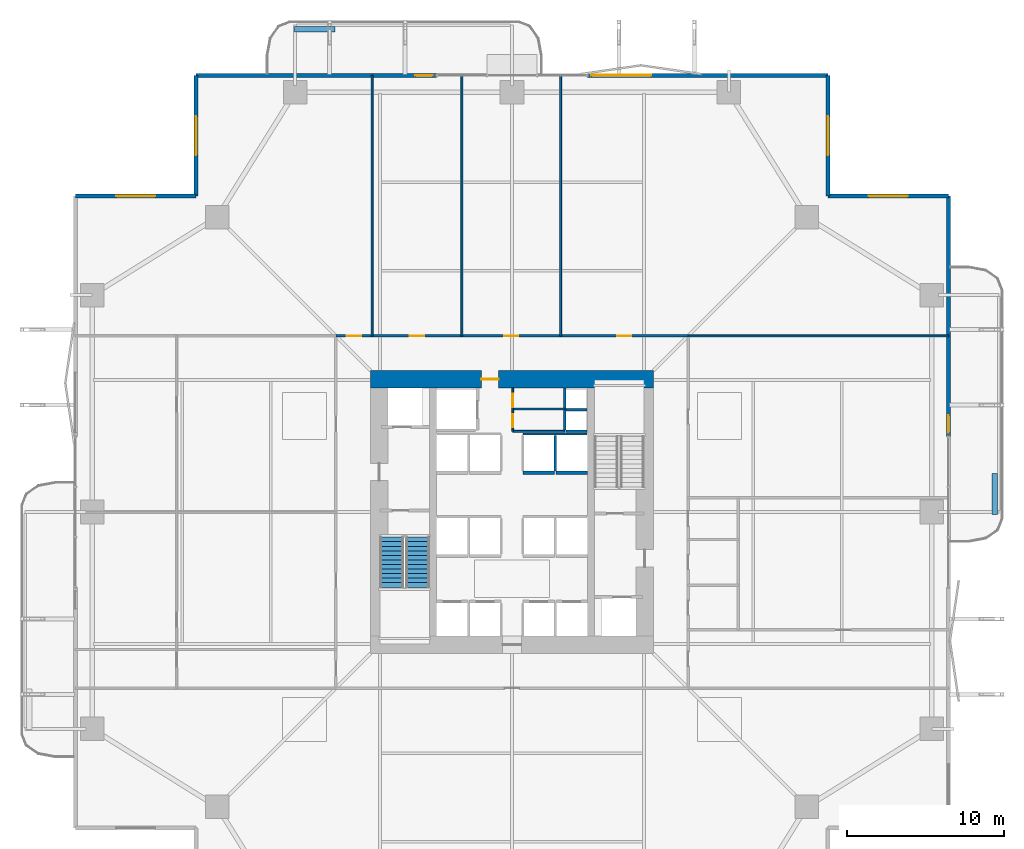
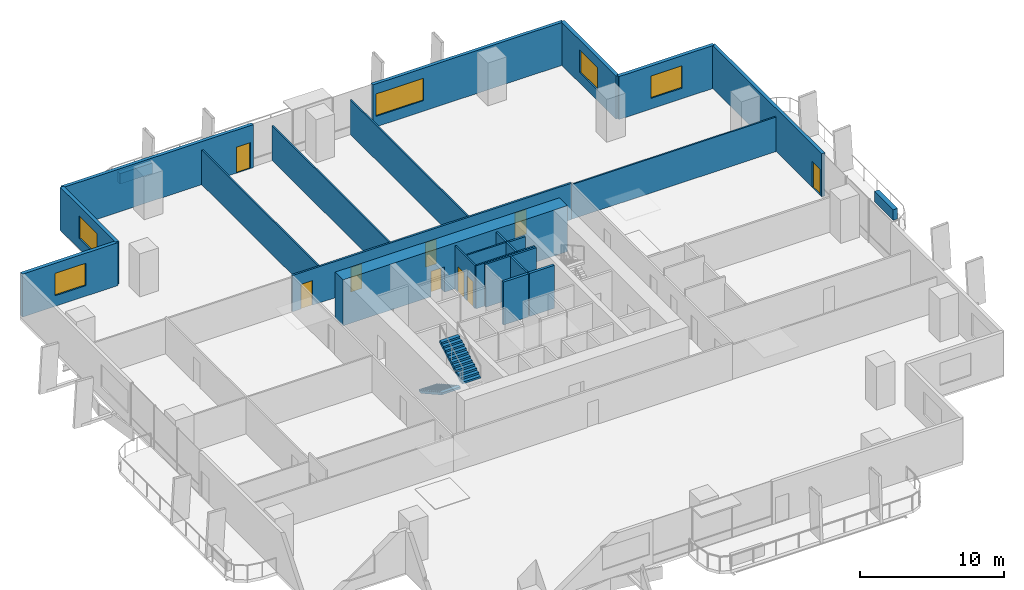
# One storey, part 19 of 24: 25 walls, 9 doors, 5 windows, 2 stair flights, 14 openings, 1 element without a shape of its own.
"""IFC4 building model written with IfcOpenShell, lengths in metres."""

from ifc_helpers import new_model, si_unit, direction, frame, frame_2d, origin, place, context, subcontext, project, spatial, polyline, rectangle, outline, extrude, material, layer, layer_set, type_object, element, fill, aggregate, save


model = new_model("IFC4")

# Units and contexts
model_context = context("Model", 3, precision=1e-05, world=origin(), true_north=direction((0.0, 1.0)))
body_context = subcontext(model_context, "Body", "Model", "MODEL_VIEW")
ifc_project = project(units=[si_unit("LENGTHUNIT", "METRE"), si_unit("AREAUNIT", "SQUARE_METRE"), si_unit("VOLUMEUNIT", "CUBIC_METRE"), si_unit("PLANEANGLEUNIT", "RADIAN"), si_unit("MASSUNIT", "GRAM", prefix="KILO")], contexts=[model_context])

# Site, building, storey
site_placement = place(None, origin())
site = spatial("IfcSite", under=ifc_project, at=site_placement, CompositionType="ELEMENT")
building_placement = place(site_placement, origin())
building = spatial("IfcBuilding", under=site, at=building_placement, Name="Belovzor Exchange Tower", CompositionType="ELEMENT")
storey_placement = place(building_placement, frame((0.0, 0.0, 45.60009765625)))
storey = spatial("IfcBuildingStorey", under=building, at=storey_placement, Name="L10", CompositionType="ELEMENT", Elevation=45.60009765625)

# Walls
ifc_material_1 = material(Name="Acoustic Plasterboard on Galvanised Studs", Category="gypsum")
ifc_layer_1 = layer(ifc_material_1, 0.1201171875)
ifc_layer_set_1 = layer_set([ifc_layer_1], Name="Acoustic Plasterboard on Galvanised Studs")
wall_type_1 = type_object("IfcWallType", Name="Acoustic Double-Stud Partition Wall 120", PredefinedType="PARTITIONING", material=ifc_layer_set_1)
for number, where, z_axis, x_axis, name in (
    (1, (19.89990234375, 40.0, 0.0), (0.0, 0.0, 1.0), (0.0, 1.0, 0.0), "W-P120 Partition Wall W-L10-NDIV-1"),
    (2, (25.612060546875, 40.0, 0.0), (0.0, 0.0, 1.0), (0.0, 1.0, 0.0), "W-P120 Partition Wall W-L10-NDIV-2"),
    (3, (31.89697265625, 40.0, 0.0), (0.0, 0.0, 1.0), (0.0, 1.0, 0.0), "W-P120 Partition Wall W-L10-NDIV-3"),
    (4, (40.0, 40.0, 0.0), (0.0, 0.0, 1.0), (1.0, 0.0, 0.0), "W-P120 Partition Wall W-L10-END-NE"),
):
    element("IfcWall", number, at=place(storey_placement, frame(where, z_axis=z_axis, x_axis=x_axis)), inside=storey, type_object=wall_type_1, Name=name, PredefinedType="PARTITIONING", context=body_context, shape_type="SweptSolid", body=[
        extrude(rectangle(XDim=16.570068359375, YDim=0.1201171875, at=frame_2d((8.28515625, 0.0))), origin(), (0.0, 0.0, 1.0), 2.934814453125),
    ])

# Wall, openings, doors
ifc_material_2 = material(Name="Fire-Rated Plasterboard on Galvanised Studs", Category="gypsum")
ifc_layer_2 = layer(ifc_material_2, 0.1201171875)
ifc_layer_set_2 = layer_set([ifc_layer_2], Name="Fire-Rated Plasterboard on Galvanised Studs")
wall_type_2 = type_object("IfcWallType", Name="Fire-Rated Double-Stud Partition Wall 120", PredefinedType="PARTITIONING", material=ifc_layer_set_2)
wall_1_placement = place(storey_placement, frame((28.85009765625, 33.925048828125, 0.0), z_axis=(0.0, 0.0, 1.0), x_axis=(0.0, 1.0, 0.0)))
wall_1 = element("IfcWall", 5, at=wall_1_placement, inside=storey, type_object=wall_type_2, Name="W-P120F Partition Wall W-CRV-L10-W", PredefinedType="PARTITIONING", context=body_context, shape_type="SweptSolid", body=[
    extrude(rectangle(XDim=2.77490234375, YDim=0.1201171875, at=frame_2d((1.387451171875, 0.0))), origin(), (0.0, 0.0, 1.0), 3.64990234375),
])
opening_1_placement = place(wall_1_placement, frame((0.25, 0.0, 0.0)))
opening_1 = element("IfcOpeningElement", 6, at=opening_1_placement, cuts=wall_1, Name="Opening D-FD60-085", PredefinedType="OPENING", context=body_context, shape_type="SweptSolid", body=[
    extrude(rectangle(XDim=0.85009765625, YDim=2.10009765625, at=frame_2d((0.425048828125, 1.050048828125))), frame((0.0, 0.070068359375, 0.0), z_axis=(0.0, -1.0, 0.0), x_axis=(1.0, 0.0, 0.0)), (0.0, 0.0, 1.0), 0.14013671875),
])
opening_2_placement = place(wall_1_placement, frame((1.544921875, 0.0, 0.0)))
opening_2 = element("IfcOpeningElement", 7, at=opening_2_placement, cuts=wall_1, Name="Opening D-FD60-085", PredefinedType="OPENING", context=body_context, shape_type="SweptSolid", body=[
    extrude(rectangle(XDim=0.85009765625, YDim=2.10009765625, at=frame_2d((0.425048828125, 1.050048828125))), frame((0.0, 0.070068359375, 0.0), z_axis=(0.0, -1.0, 0.0), x_axis=(1.0, 0.0, 0.0)), (0.0, 0.0, 1.0), 0.14013671875),
])
ifc_material_3 = material(Name="Fire-Rated Steel Access Leaf", Category="steel")
door_type_1 = type_object("IfcDoorType", Name="Riser & Meter Closet Access Fire Door 850x2100", OperationType="NOTDEFINED", PredefinedType="DOOR", material=ifc_material_3)
door_1_placement = place(opening_1_placement, origin())
door_1 = element("IfcDoor", 8, at=door_1_placement, inside=storey, type_object=door_type_1, Name="D-FD60-085 Riser & Meter Closet Access Fire Door 850x2100", OperationType="SINGLE_SWING_LEFT", OverallHeight=2.10009765625, OverallWidth=0.85009765625, PredefinedType="DOOR", context=body_context, shape_type="SweptSolid", body=[
    extrude(rectangle(XDim=0.85009765625, YDim=2.10009765625, at=frame_2d((0.425048828125, 1.050048828125))), frame((0.0, 0.02490234375, 0.0), z_axis=(0.0, -1.0, 0.0), x_axis=(1.0, 0.0, 0.0)), (0.0, 0.0, 1.0), 0.050048828125),
])
fill(opening_1, door_1)
door_2_placement = place(opening_2_placement, origin())
door_2 = element("IfcDoor", 9, at=door_2_placement, inside=storey, type_object=door_type_1, Name="D-FD60-085 Riser & Meter Closet Access Fire Door 850x2100", OperationType="SINGLE_SWING_RIGHT", OverallHeight=2.10009765625, OverallWidth=0.85009765625, PredefinedType="DOOR", context=body_context, shape_type="SweptSolid", body=[
    extrude(rectangle(XDim=0.85009765625, YDim=2.10009765625, at=frame_2d((0.425048828125, 1.050048828125))), frame((0.0, 0.02490234375, 0.0), z_axis=(0.0, -1.0, 0.0), x_axis=(1.0, 0.0, 0.0)), (0.0, 0.0, 1.0), 0.050048828125),
])
fill(opening_2, door_2)

# Walls
for number, where, z_axis, x_axis, name in (
    (10, (28.85009765625, 35.35009765625, 0.0), (0.0, 0.0, 1.0), (1.0, 0.0, 0.0), "W-P120F Partition Wall W-CRV-L10-M"),
    (11, (28.85009765625, 33.925048828125, 0.0), (0.0, 0.0, 1.0), (1.0, 0.0, 0.0), "W-P120F Partition Wall W-CRV-L10-S"),
):
    element("IfcWall", number, at=place(storey_placement, frame(where, z_axis=z_axis, x_axis=x_axis)), inside=storey, type_object=wall_type_2, Name=name, PredefinedType="PARTITIONING", context=body_context, shape_type="SweptSolid", body=[
        extrude(rectangle(XDim=3.2998046875, YDim=0.1201171875, at=frame_2d((1.64990234375, 0.0))), origin(), (0.0, 0.0, 1.0), 3.64990234375),
    ])

# Wall, openings, doors
ifc_material_4 = material(Name="Fire-Rated Gypsum Block and Mineral Wool", Category="gypsum")
ifc_layer_3 = layer(ifc_material_4, 0.14990234375)
ifc_layer_set_3 = layer_set([ifc_layer_3], Name="Fire-Rated Gypsum Block and Mineral Wool")
wall_type_3 = type_object("IfcWallType", Name="Fire-Rated Gypsum Block Corridor Wall 150", PredefinedType="PARTITIONING", material=ifc_layer_set_3)
wall_2_placement = place(storey_placement, frame((17.60009765625, 40.0, 0.0), z_axis=(0.0, 0.0, 1.0), x_axis=(1.0, 0.0, 0.0)))
wall_2 = element("IfcWall", 12, at=wall_2_placement, inside=storey, type_object=wall_type_3, Name="W-P150 Partition Wall W-L10-CN", PredefinedType="PARTITIONING", context=body_context, shape_type="SweptSolid", body=[
    extrude(rectangle(XDim=22.39990234375, YDim=0.14990234375, at=frame_2d((11.199951171875, 0.0))), origin(), (0.0, 0.0, 1.0), 3.0849609375),
])
opening_3_placement = place(wall_2_placement, frame((0.699951171875, 0.0, 0.0)))
opening_3 = element("IfcOpeningElement", 13, at=opening_3_placement, cuts=wall_2, Name="Opening D-INT-090", PredefinedType="OPENING", context=body_context, shape_type="SweptSolid", body=[
    extrude(rectangle(XDim=0.89990234375, YDim=2.10009765625, at=frame_2d((0.449951171875, 1.050048828125))), frame((0.0, 0.0849609375, 0.0), z_axis=(0.0, -1.0, 0.0), x_axis=(1.0, 0.0, 0.0)), (0.0, 0.0, 1.0), 0.169921875),
])
opening_4_placement = place(wall_2_placement, frame((4.7060546875, 0.0, 0.0)))
opening_4 = element("IfcOpeningElement", 14, at=opening_4_placement, cuts=wall_2, Name="Opening D-INT-090", PredefinedType="OPENING", context=body_context, shape_type="SweptSolid", body=[
    extrude(rectangle(XDim=0.89990234375, YDim=2.10009765625, at=frame_2d((0.449951171875, 1.050048828125))), frame((0.0, 0.0849609375, 0.0), z_axis=(0.0, -1.0, 0.0), x_axis=(1.0, 0.0, 0.0)), (0.0, 0.0, 1.0), 0.169921875),
])
opening_5_placement = place(wall_2_placement, frame((10.7041015625, 0.0, 0.0)))
opening_5 = element("IfcOpeningElement", 15, at=opening_5_placement, cuts=wall_2, Name="Opening D-INT-090", PredefinedType="OPENING", context=body_context, shape_type="SweptSolid", body=[
    extrude(rectangle(XDim=0.89990234375, YDim=2.10009765625, at=frame_2d((0.449951171875, 1.050048828125))), frame((0.0, 0.0849609375, 0.0), z_axis=(0.0, -1.0, 0.0), x_axis=(1.0, 0.0, 0.0)), (0.0, 0.0, 1.0), 0.169921875),
])
opening_6_placement = place(wall_2_placement, frame((17.89794921875, 0.0, 0.0)))
opening_6 = element("IfcOpeningElement", 16, at=opening_6_placement, cuts=wall_2, Name="Opening D-INT-090", PredefinedType="OPENING", context=body_context, shape_type="SweptSolid", body=[
    extrude(rectangle(XDim=0.89990234375, YDim=2.10009765625, at=frame_2d((0.449951171875, 1.050048828125))), frame((0.0, 0.0849609375, 0.0), z_axis=(0.0, -1.0, 0.0), x_axis=(1.0, 0.0, 0.0)), (0.0, 0.0, 1.0), 0.169921875),
])
ifc_material_5 = material(Name="Veneered Hardwood Acoustic Leaf", Category="wood")
door_type_2 = type_object("IfcDoorType", Name="Trading Suite Acoustic Single Door 900x2100", OperationType="NOTDEFINED", PredefinedType="DOOR", material=ifc_material_5)
door_3_placement = place(opening_3_placement, origin())
door_3 = element("IfcDoor", 17, at=door_3_placement, inside=storey, type_object=door_type_2, Name="D-INT-090 Trading Suite Acoustic Single Door 900x2100", OperationType="SINGLE_SWING_RIGHT", OverallHeight=2.10009765625, OverallWidth=0.89990234375, PredefinedType="DOOR", context=body_context, shape_type="SweptSolid", body=[
    extrude(rectangle(XDim=0.89990234375, YDim=2.10009765625, at=frame_2d((0.449951171875, 1.050048828125))), frame((0.0, 0.02490234375, 0.0), z_axis=(0.0, -1.0, 0.0), x_axis=(1.0, 0.0, 0.0)), (0.0, 0.0, 1.0), 0.050048828125),
])
fill(opening_3, door_3)
door_4_placement = place(opening_4_placement, origin())
door_4 = element("IfcDoor", 18, at=door_4_placement, inside=storey, type_object=door_type_2, Name="D-INT-090 Trading Suite Acoustic Single Door 900x2100", OperationType="SINGLE_SWING_LEFT", OverallHeight=2.10009765625, OverallWidth=0.89990234375, PredefinedType="DOOR", context=body_context, shape_type="SweptSolid", body=[
    extrude(rectangle(XDim=0.89990234375, YDim=2.10009765625, at=frame_2d((0.449951171875, 1.050048828125))), frame((0.0, 0.02490234375, 0.0), z_axis=(0.0, -1.0, 0.0), x_axis=(1.0, 0.0, 0.0)), (0.0, 0.0, 1.0), 0.050048828125),
])
fill(opening_4, door_4)
door_5_placement = place(opening_5_placement, origin())
door_5 = element("IfcDoor", 19, at=door_5_placement, inside=storey, type_object=door_type_2, Name="D-INT-090 Trading Suite Acoustic Single Door 900x2100", OperationType="SINGLE_SWING_RIGHT", OverallHeight=2.10009765625, OverallWidth=0.89990234375, PredefinedType="DOOR", context=body_context, shape_type="SweptSolid", body=[
    extrude(rectangle(XDim=0.89990234375, YDim=2.10009765625, at=frame_2d((0.449951171875, 1.050048828125))), frame((0.0, 0.02490234375, 0.0), z_axis=(0.0, -1.0, 0.0), x_axis=(1.0, 0.0, 0.0)), (0.0, 0.0, 1.0), 0.050048828125),
])
fill(opening_5, door_5)
door_6_placement = place(opening_6_placement, origin())
door_6 = element("IfcDoor", 20, at=door_6_placement, inside=storey, type_object=door_type_2, Name="D-INT-090 Trading Suite Acoustic Single Door 900x2100", OperationType="SINGLE_SWING_LEFT", OverallHeight=2.10009765625, OverallWidth=0.89990234375, PredefinedType="DOOR", context=body_context, shape_type="SweptSolid", body=[
    extrude(rectangle(XDim=0.89990234375, YDim=2.10009765625, at=frame_2d((0.449951171875, 1.050048828125))), frame((0.0, 0.02490234375, 0.0), z_axis=(0.0, -1.0, 0.0), x_axis=(1.0, 0.0, 0.0)), (0.0, 0.0, 1.0), 0.050048828125),
])
fill(opening_6, door_6)

# Wall, opening, window
ifc_material_6 = material(Name="Precast concrete C40/50", Category="concrete")
ifc_layer_4 = layer(ifc_material_6, 0.280029296875)
ifc_layer_set_4 = layer_set([ifc_layer_4], Name="Precast concrete C40/50")
wall_type_4 = type_object("IfcWallType", Name="Precast Concrete Notched Corner Frame Wall 280", PredefinedType="SOLIDWALL", material=ifc_layer_set_4)
wall_3_placement = place(storey_placement, frame((1.030029296875, 48.89990234375, 0.0), z_axis=(0.0, 0.0, 1.0), x_axis=(1.0, 0.0, 0.0)))
wall_3 = element("IfcWall", 21, at=wall_3_placement, inside=storey, type_object=wall_type_4, Name="W-CRN280 Precast Concrete Notched Corner Frame Wall 280 L10", PredefinedType="SOLIDWALL", context=body_context, shape_type="SweptSolid", body=[
    extrude(rectangle(XDim=7.669921875, YDim=0.280029296875, at=frame_2d((3.8349609375, 0.0))), origin(), (0.0, 0.0, 1.0), 3.64990234375),
])
opening_7_placement = place(wall_3_placement, frame((2.5849609375, 0.0, 0.89990234375)))
opening_7 = element("IfcOpeningElement", 22, at=opening_7_placement, cuts=wall_3, Name="Opening WN-CRN250", PredefinedType="OPENING", context=body_context, shape_type="SweptSolid", body=[
    extrude(rectangle(XDim=2.5, YDim=1.89990234375, at=frame_2d((1.25, 0.949951171875))), frame((0.0, 0.14990234375, 0.0), z_axis=(0.0, -1.0, 0.0), x_axis=(1.0, 0.0, 0.0)), (0.0, 0.0, 1.0), 0.300048828125),
])
ifc_material_7 = material(Name="Thermally Broken Aluminium and Triple Glazing", Category="aluminium")
window_type_1 = type_object("IfcWindowType", Name="Streamline Moderne Corner Wrap Ribbon Window 2500x1900", PartitioningType="SINGLE_PANEL", PredefinedType="WINDOW", material=ifc_material_7)
window_1_placement = place(opening_7_placement, origin())
window_1 = element("IfcWindow", 23, at=window_1_placement, inside=storey, type_object=window_type_1, Name="WN-CRN250 Streamline Moderne Corner Wrap Ribbon Window 2500x1900", OverallHeight=1.89990234375, OverallWidth=2.5, PartitioningType="SINGLE_PANEL", PredefinedType="WINDOW", context=body_context, shape_type="SweptSolid", body=[
    extrude(rectangle(XDim=2.5, YDim=1.89990234375, at=frame_2d((1.25, 0.949951171875))), frame((0.0, 0.030029296875, 0.0), z_axis=(0.0, -1.0, 0.0), x_axis=(1.0, 0.0, 0.0)), (0.0, 0.0, 1.0), 0.06005859375),
])
fill(opening_7, window_1)

wall_4_placement = place(storey_placement, frame((8.699951171875, 48.89990234375, 0.0), z_axis=(0.0, 0.0, 1.0), x_axis=(0.0, 1.0, 0.0)))
wall_4 = element("IfcWall", 24, at=wall_4_placement, inside=storey, type_object=wall_type_4, Name="W-CRN280 Precast Concrete Notched Corner Frame Wall 280 L10", PredefinedType="SOLIDWALL", context=body_context, shape_type="SweptSolid", body=[
    extrude(rectangle(XDim=7.670166015625, YDim=0.280029296875, at=frame_2d((3.8349609375, 0.0))), origin(), (0.0, 0.0, 1.0), 3.64990234375),
])
opening_8_placement = place(wall_4_placement, frame((2.5849609375, 0.0, 0.89990234375)))
opening_8 = element("IfcOpeningElement", 25, at=opening_8_placement, cuts=wall_4, Name="Opening WN-CRN250", PredefinedType="OPENING", context=body_context, shape_type="SweptSolid", body=[
    extrude(rectangle(XDim=2.5, YDim=1.89990234375, at=frame_2d((1.25, 0.949951171875))), frame((0.0, 0.14990234375, 0.0), z_axis=(0.0, -1.0, 0.0), x_axis=(1.0, 0.0, 0.0)), (0.0, 0.0, 1.0), 0.300048828125),
])
window_2_placement = place(opening_8_placement, origin())
window_2 = element("IfcWindow", 26, at=window_2_placement, inside=storey, type_object=window_type_1, Name="WN-CRN250 Streamline Moderne Corner Wrap Ribbon Window 2500x1900", OverallHeight=1.89990234375, OverallWidth=2.5, PartitioningType="SINGLE_PANEL", PredefinedType="WINDOW", context=body_context, shape_type="SweptSolid", body=[
    extrude(rectangle(XDim=2.5, YDim=1.89990234375, at=frame_2d((1.25, 0.949951171875))), frame((0.0, 0.030029296875, 0.0), z_axis=(0.0, -1.0, 0.0), x_axis=(1.0, 0.0, 0.0)), (0.0, 0.0, 1.0), 0.06005859375),
])
fill(opening_8, window_2)

wall_5_placement = place(storey_placement, frame((48.89990234375, 56.570068359375, 0.0), z_axis=(0.0, 0.0, 1.0), x_axis=(0.0, -1.0, 0.0)))
wall_5 = element("IfcWall", 27, at=wall_5_placement, inside=storey, type_object=wall_type_4, Name="W-CRN280 Precast Concrete Notched Corner Frame Wall 280 L10", PredefinedType="SOLIDWALL", context=body_context, shape_type="SweptSolid", body=[
    extrude(rectangle(XDim=7.670166015625, YDim=0.280029296875, at=frame_2d((3.8349609375, 0.0))), origin(), (0.0, 0.0, 1.0), 3.64990234375),
])
opening_9_placement = place(wall_5_placement, frame((2.5849609375, 0.0, 0.89990234375)))
opening_9 = element("IfcOpeningElement", 28, at=opening_9_placement, cuts=wall_5, Name="Opening WN-CRN250", PredefinedType="OPENING", context=body_context, shape_type="SweptSolid", body=[
    extrude(rectangle(XDim=2.5, YDim=1.89990234375, at=frame_2d((1.25, 0.949951171875))), frame((0.0, 0.14990234375, 0.0), z_axis=(0.0, -1.0, 0.0), x_axis=(1.0, 0.0, 0.0)), (0.0, 0.0, 1.0), 0.300048828125),
])
window_3_placement = place(opening_9_placement, origin())
window_3 = element("IfcWindow", 29, at=window_3_placement, inside=storey, type_object=window_type_1, Name="WN-CRN250 Streamline Moderne Corner Wrap Ribbon Window 2500x1900", OverallHeight=1.89990234375, OverallWidth=2.5, PartitioningType="SINGLE_PANEL", PredefinedType="WINDOW", context=body_context, shape_type="SweptSolid", body=[
    extrude(rectangle(XDim=2.5, YDim=1.89990234375, at=frame_2d((1.25, 0.949951171875))), frame((0.0, 0.030029296875, 0.0), z_axis=(0.0, -1.0, 0.0), x_axis=(1.0, 0.0, 0.0)), (0.0, 0.0, 1.0), 0.06005859375),
])
fill(opening_9, window_3)

wall_6_placement = place(storey_placement, frame((48.89990234375, 48.89990234375, 0.0), z_axis=(0.0, 0.0, 1.0), x_axis=(1.0, 0.0, 0.0)))
wall_6 = element("IfcWall", 30, at=wall_6_placement, inside=storey, type_object=wall_type_4, Name="W-CRN280 Precast Concrete Notched Corner Frame Wall 280 L10", PredefinedType="SOLIDWALL", context=body_context, shape_type="SweptSolid", body=[
    extrude(rectangle(XDim=7.670166015625, YDim=0.280029296875, at=frame_2d((3.8349609375, 0.0))), origin(), (0.0, 0.0, 1.0), 3.64990234375),
])
opening_10_placement = place(wall_6_placement, frame((2.5849609375, 0.0, 0.89990234375)))
opening_10 = element("IfcOpeningElement", 31, at=opening_10_placement, cuts=wall_6, Name="Opening WN-CRN250", PredefinedType="OPENING", context=body_context, shape_type="SweptSolid", body=[
    extrude(rectangle(XDim=2.5, YDim=1.89990234375, at=frame_2d((1.25, 0.949951171875))), frame((0.0, 0.14990234375, 0.0), z_axis=(0.0, -1.0, 0.0), x_axis=(1.0, 0.0, 0.0)), (0.0, 0.0, 1.0), 0.300048828125),
])
window_4_placement = place(opening_10_placement, origin())
window_4 = element("IfcWindow", 32, at=window_4_placement, inside=storey, type_object=window_type_1, Name="WN-CRN250 Streamline Moderne Corner Wrap Ribbon Window 2500x1900", OverallHeight=1.89990234375, OverallWidth=2.5, PartitioningType="SINGLE_PANEL", PredefinedType="WINDOW", context=body_context, shape_type="SweptSolid", body=[
    extrude(rectangle(XDim=2.5, YDim=1.89990234375, at=frame_2d((1.25, 0.949951171875))), frame((0.0, 0.030029296875, 0.0), z_axis=(0.0, -1.0, 0.0), x_axis=(1.0, 0.0, 0.0)), (0.0, 0.0, 1.0), 0.06005859375),
])
fill(opening_10, window_4)

# Wall, opening, door
ifc_material_8 = material(Name="Precast concrete C40/50", Category="concrete")
ifc_layer_5 = layer(ifc_material_8, 0.260009765625)
ifc_layer_set_5 = layer_set([ifc_layer_5], Name="Precast concrete C40/50")
wall_type_5 = type_object("IfcWallType", Name="Precast Concrete Perimeter Loggia Frame Wall 260", PredefinedType="SOLIDWALL", material=ifc_layer_set_5)
wall_7_placement = place(storey_placement, frame((8.699951171875, 56.570068359375, 0.0), z_axis=(0.0, 0.0, 1.0), x_axis=(1.0, 0.0, 0.0)))
wall_7 = element("IfcWall", 33, at=wall_7_placement, inside=storey, type_object=wall_type_5, Name="W-EXT260 Precast Concrete Perimeter Loggia Frame Wall 260 L10", PredefinedType="SOLIDWALL", context=body_context, shape_type="SweptSolid", body=[
    extrude(rectangle(XDim=15.300048828125, YDim=0.260009765625, at=frame_2d((7.64990234375, 0.0))), origin(), (0.0, 0.0, 1.0), 3.64990234375),
])
opening_11_placement = place(wall_7_placement, frame((13.949951171875, 0.0, 0.0)))
opening_11 = element("IfcOpeningElement", 34, at=opening_11_placement, cuts=wall_7, Name="Opening D-BAL110", PredefinedType="OPENING", context=body_context, shape_type="SweptSolid", body=[
    extrude(rectangle(XDim=1.10009765625, YDim=2.199951171875, at=frame_2d((0.550048828125, 1.10009765625))), frame((0.0, 0.139892578125, 0.0), z_axis=(0.0, -1.0, 0.0), x_axis=(1.0, 0.0, 0.0)), (0.0, 0.0, 1.0), 0.280029296875),
])
ifc_material_9 = material(Name="Thermally Broken Anodised Aluminium and Laminated Glass", Category="aluminium")
door_type_3 = type_object("IfcDoorType", Name="Planted Loggia Terrace Glazed Door 1100x2200", OperationType="SINGLE_SWING_LEFT", PredefinedType="DOOR", material=ifc_material_9)
door_7_placement = place(opening_11_placement, origin())
door_7 = element("IfcDoor", 35, at=door_7_placement, inside=storey, type_object=door_type_3, Name="D-BAL110 Balcony Terrace Door L10 N", OperationType="SINGLE_SWING_RIGHT", OverallHeight=2.199951171875, OverallWidth=1.10009765625, PredefinedType="DOOR", context=body_context, shape_type="SweptSolid", body=[
    extrude(rectangle(XDim=1.10009765625, YDim=2.199951171875, at=frame_2d((0.550048828125, 1.10009765625))), frame((0.0, 0.02490234375, 0.0), z_axis=(0.0, -1.0, 0.0), x_axis=(1.0, 0.0, 0.0)), (0.0, 0.0, 1.0), 0.050048828125),
])
fill(opening_11, door_7)

# Wall, opening, window
wall_8_placement = place(storey_placement, frame((33.60009765625, 56.570068359375, 0.0), z_axis=(0.0, 0.0, 1.0), x_axis=(1.0, 0.0, 0.0)))
wall_8 = element("IfcWall", 36, at=wall_8_placement, inside=storey, type_object=wall_type_5, Name="W-EXT260 Precast Concrete Perimeter Loggia Frame Wall 260 L10", PredefinedType="SOLIDWALL", context=body_context, shape_type="SweptSolid", body=[
    extrude(rectangle(XDim=15.2998046875, YDim=0.260009765625, at=frame_2d((7.64990234375, 0.0))), origin(), (0.0, 0.0, 1.0), 3.64990234375),
])
opening_12_placement = place(wall_8_placement, frame((0.25, 0.0, 0.89990234375)))
opening_12 = element("IfcOpeningElement", 37, at=opening_12_placement, cuts=wall_8, Name="Opening WN-RIB380", PredefinedType="OPENING", context=body_context, shape_type="SweptSolid", body=[
    extrude(rectangle(XDim=3.800048828125, YDim=1.89990234375, at=frame_2d((1.89990234375, 0.949951171875))), frame((0.0, 0.139892578125, 0.0), z_axis=(0.0, -1.0, 0.0), x_axis=(1.0, 0.0, 0.0)), (0.0, 0.0, 1.0), 0.280029296875),
])
ifc_material_10 = material(Name="Thermally Broken Aluminium and Triple Glazing", Category="aluminium")
window_type_2 = type_object("IfcWindowType", Name="Streamline Moderne Horizontal Ribbon Window 3800x1900", PartitioningType="SINGLE_PANEL", PredefinedType="WINDOW", material=ifc_material_10)
window_5_placement = place(opening_12_placement, origin())
window_5 = element("IfcWindow", 38, at=window_5_placement, inside=storey, type_object=window_type_2, Name="WN-RIB380 Streamline Moderne Horizontal Ribbon Window 3800x1900", OverallHeight=1.89990234375, OverallWidth=3.800048828125, PartitioningType="SINGLE_PANEL", PredefinedType="WINDOW", context=body_context, shape_type="SweptSolid", body=[
    extrude(rectangle(XDim=3.800048828125, YDim=1.89990234375, at=frame_2d((1.89990234375, 0.949951171875))), frame((0.0, 0.030029296875, 0.0), z_axis=(0.0, -1.0, 0.0), x_axis=(1.0, 0.0, 0.0)), (0.0, 0.0, 1.0), 0.06005859375),
])
fill(opening_12, window_5)

# Wall, opening, door
wall_9_placement = place(storey_placement, frame((56.570068359375, 48.89990234375, 0.0), z_axis=(0.0, 0.0, 1.0), x_axis=(0.0, -1.0, 0.0)))
wall_9 = element("IfcWall", 39, at=wall_9_placement, inside=storey, type_object=wall_type_5, Name="W-EXT260 Precast Concrete Perimeter Loggia Frame Wall 260 L10", PredefinedType="SOLIDWALL", context=body_context, shape_type="SweptSolid", body=[
    extrude(rectangle(XDim=15.2998046875, YDim=0.260009765625, at=frame_2d((7.64990234375, 0.0))), origin(), (0.0, 0.0, 1.0), 3.64990234375),
])
opening_13_placement = place(wall_9_placement, frame((13.949951171875, 0.0, 0.0)))
opening_13 = element("IfcOpeningElement", 40, at=opening_13_placement, cuts=wall_9, Name="Opening D-BAL110", PredefinedType="OPENING", context=body_context, shape_type="SweptSolid", body=[
    extrude(rectangle(XDim=1.10009765625, YDim=2.199951171875, at=frame_2d((0.550048828125, 1.10009765625))), frame((0.0, 0.139892578125, 0.0), z_axis=(0.0, -1.0, 0.0), x_axis=(1.0, 0.0, 0.0)), (0.0, 0.0, 1.0), 0.280029296875),
])
door_8_placement = place(opening_13_placement, origin())
door_8 = element("IfcDoor", 41, at=door_8_placement, inside=storey, type_object=door_type_3, Name="D-BAL110 Balcony Terrace Door L10 E", OperationType="SINGLE_SWING_LEFT", OverallHeight=2.199951171875, OverallWidth=1.10009765625, PredefinedType="DOOR", context=body_context, shape_type="SweptSolid", body=[
    extrude(rectangle(XDim=1.10009765625, YDim=2.199951171875, at=frame_2d((0.550048828125, 1.10009765625))), frame((0.0, 0.02490234375, 0.0), z_axis=(0.0, -1.0, 0.0), x_axis=(1.0, 0.0, 0.0)), (0.0, 0.0, 1.0), 0.050048828125),
])
fill(opening_13, door_8)

# Walls
ifc_material_11 = material(Name="Precast concrete C40/50", Category="concrete")
ifc_layer_6 = layer(ifc_material_11, 0.35009765625)
ifc_layer_set_6 = layer_set([ifc_layer_6], Name="Precast concrete C40/50")
wall_type_6 = type_object("IfcWallType", Name="Precast Concrete Structural Tree Planter Trough 350", PredefinedType="PARAPET", material=ifc_layer_set_6)
for number, where, z_axis, x_axis, name in (
    (42, (14.949951171875, 59.5, 0.0), (0.0, 0.0, 1.0), (1.0, 0.0, 0.0), "PT-350 Precast Concrete Structural Tree Planter Trough 350 L10"),
    (43, (59.5, 28.64990234375, 0.0), (0.0, 0.0, 1.0), (0.0, 1.0, 0.0), "PT-350 Precast Concrete Structural Tree Planter Trough 350 L10"),
):
    element("IfcWall", number, at=place(storey_placement, frame(where, z_axis=z_axis, x_axis=x_axis)), inside=storey, type_object=wall_type_6, Name=name, PredefinedType="PARAPET", context=body_context, shape_type="SweptSolid", body=[
        extrude(rectangle(XDim=2.60009765625, YDim=0.35009765625, at=frame_2d((1.300048828125, 0.0))), origin(), (0.0, 0.0, 1.0), 0.89990234375),
    ])
ifc_material_12 = material(Name="Concrete C50/60", Category="concrete")
ifc_layer_7 = layer(ifc_material_12, 0.14990234375)
ifc_layer_set_7 = layer_set([ifc_layer_7], Name="Concrete C50/60")
wall_type_7 = type_object("IfcWallType", Name="Reinforced Concrete Core Riser Shear Wall 150", PredefinedType="SHEAR", material=ifc_layer_set_7)
wall_10_placement = place(storey_placement, frame((32.14990234375, 34.0, 0.0), z_axis=(0.0, 0.0, 1.0), x_axis=(0.0, 1.0, 0.0)))
element("IfcWall", 44, at=wall_10_placement, inside=storey, type_object=wall_type_7, Name="W-C150S Core Shaft Wall W-RSR-L10-E", PredefinedType="SHEAR", context=body_context, shape_type="SweptSolid", body=[
    extrude(rectangle(XDim=2.699951171875, YDim=0.14990234375, at=frame_2d((1.35009765625, 0.0))), origin(), (0.0, 0.0, 1.0), 3.64990234375),
])
for number, where, z_axis, x_axis, name in (
    (45, (32.25, 33.925048828125, 0.0), (0.0, 0.0, 1.0), (1.0, 0.0, 0.0), "W-C150S Core Shaft Wall W-RSR-L10-S"),
    (46, (32.25, 35.300048828125, 0.0), (0.0, 0.0, 1.0), (1.0, 0.0, 0.0), "W-C150S Core Shaft Wall W-RSR-L10-M"),
):
    element("IfcWall", number, at=place(storey_placement, frame(where, z_axis=z_axis, x_axis=x_axis)), inside=storey, type_object=wall_type_7, Name=name, PredefinedType="SHEAR", context=body_context, shape_type="SweptSolid", body=[
        extrude(rectangle(XDim=1.330078125, YDim=0.14990234375, at=frame_2d((0.6650390625, 0.0))), origin(), (0.0, 0.0, 1.0), 3.64990234375),
    ])
wall_11_placement = place(storey_placement, frame((29.5, 33.760009765625, 0.0), z_axis=(0.0, 0.0, 1.0), x_axis=(1.0, 0.0, 0.0)))
element("IfcWall", 47, at=wall_11_placement, inside=storey, type_object=wall_type_7, Name="W-C150S Core Shaft Wall W-SHB-L10-PLH-NE", PredefinedType="SHEAR", context=body_context, shape_type="SweptSolid", body=[
    extrude(rectangle(XDim=4.080078125, YDim=0.14990234375, at=frame_2d((2.0400390625, 0.0))), origin(), (0.0, 0.0, 1.0), 3.64990234375),
])
wall_12_placement = place(storey_placement, frame((31.550048828125, 31.419921875, 0.0), z_axis=(0.0, 0.0, 1.0), x_axis=(0.0, 1.0, 0.0)))
element("IfcWall", 48, at=wall_12_placement, inside=storey, type_object=wall_type_7, Name="W-C150S Core Shaft Wall W-SHD-L10-PLH-4", PredefinedType="SHEAR", context=body_context, shape_type="SweptSolid", body=[
    extrude(rectangle(XDim=2.239990234375, YDim=0.14990234375, at=frame_2d((1.1201171875, 0.0))), origin(), (0.0, 0.0, 1.0), 3.64990234375),
])
ifc_material_13 = material(Name="Concrete C50/60", Category="concrete")
ifc_layer_8 = layer(ifc_material_13, 0.199951171875)
ifc_layer_set_8 = layer_set([ifc_layer_8], Name="Concrete C50/60")
wall_type_8 = type_object("IfcWallType", Name="Reinforced Concrete Core Shaft Shear Wall 200", PredefinedType="SHEAR", material=ifc_layer_set_8)
for number, where, z_axis, x_axis, name in (
    (49, (29.5, 31.300048828125, 0.0), (0.0, 0.0, 1.0), (1.0, 0.0, 0.0), "W-C200S Core Shaft Wall W-SH-L10-PL-H3"),
    (50, (31.60009765625, 31.300048828125, 0.0), (0.0, 0.0, 1.0), (1.0, 0.0, 0.0), "W-C200S Core Shaft Wall W-SH-L10-PL-H4"),
):
    element("IfcWall", number, at=place(storey_placement, frame(where, z_axis=z_axis, x_axis=x_axis)), inside=storey, type_object=wall_type_8, Name=name, PredefinedType="SHEAR", context=body_context, shape_type="SweptSolid", body=[
        extrude(rectangle(XDim=2.0, YDim=0.199951171875, at=frame_2d((1.0, 0.0))), origin(), (0.0, 0.0, 1.0), 3.64990234375),
    ])

# Wall, opening, door
ifc_material_14 = material(Name="Concrete C60/75", Category="concrete")
ifc_layer_9 = layer(ifc_material_14, 1.10009765625)
ifc_layer_set_9 = layer_set([ifc_layer_9], Name="Concrete C60/75")
wall_type_9 = type_object("IfcWallType", Name="Reinforced Concrete Core Shear Wall 1100", PredefinedType="SHEAR", material=ifc_layer_set_9)
wall_13_placement = place(storey_placement, frame((19.800048828125, 37.25, 0.0), z_axis=(0.0, 0.0, 1.0), x_axis=(1.0, 0.0, 0.0)))
wall_13 = element("IfcWall", 51, at=wall_13_placement, inside=storey, type_object=wall_type_9, Name="CW-S110 Core Shear Wall L10 N", PredefinedType="SHEAR", context=body_context, shape_type="SweptSolid", body=[
    extrude(rectangle(XDim=18.0, YDim=1.10009765625, at=frame_2d((9.0, 0.0))), origin(), (0.0, 0.0, 1.0), 3.89990234375),
])
opening_14_placement = place(wall_13_placement, frame((7.050048828125, 0.0, 0.0)))
opening_14 = element("IfcOpeningElement", 52, at=opening_14_placement, cuts=wall_13, Name="Opening D-FD90-110", PredefinedType="OPENING", context=body_context, shape_type="SweptSolid", body=[
    extrude(rectangle(XDim=1.10009765625, YDim=2.14990234375, at=frame_2d((0.550048828125, 1.074951171875))), frame((0.0, 0.56005859375, 0.0), z_axis=(0.0, -1.0, 0.0), x_axis=(1.0, 0.0, 0.0)), (0.0, 0.0, 1.0), 1.1201171875),
])
ifc_material_15 = material(Name="Fire-Rated Galvanised Steel Leaf", Category="steel")
door_type_4 = type_object("IfcDoorType", Name="Protected Escape Vestibule Fire Door 1100x2150", OperationType="NOTDEFINED", PredefinedType="DOOR", material=ifc_material_15)
door_9_placement = place(opening_14_placement, origin())
door_9 = element("IfcDoor", 53, at=door_9_placement, inside=storey, type_object=door_type_4, Name="D-FD90-110 Protected Escape Vestibule Fire Door 1100x2150", OperationType="SINGLE_SWING_RIGHT", OverallHeight=2.14990234375, OverallWidth=1.10009765625, PredefinedType="DOOR", context=body_context, shape_type="SweptSolid", body=[
    extrude(rectangle(XDim=1.10009765625, YDim=2.14990234375, at=frame_2d((0.550048828125, 1.074951171875))), frame((0.0, 0.02490234375, 0.0), z_axis=(0.0, -1.0, 0.0), x_axis=(1.0, 0.0, 0.0)), (0.0, 0.0, 1.0), 0.050048828125),
])
fill(opening_14, door_9)

# Stair, stair flights
ifc_material_16 = material(Name="Concrete C40/50", Category="concrete")
stair_type = type_object("IfcStairType", Name="Reinforced Concrete Dogleg Escape Stair 1350", PredefinedType="HALF_TURN_STAIR", material=ifc_material_16)
stair_placement = place(storey_placement, origin())
stair = element("IfcStair", 54, at=stair_placement, inside=storey, type_object=stair_type, Name="L10 ST-1", PredefinedType="HALF_TURN_STAIR")
ifc_material_17 = material(Name="Concrete C40/50", Category="concrete")
stair_flight_type = type_object("IfcStairFlightType", Name="Reinforced Concrete Stair Flight 1350", PredefinedType="STRAIGHT", material=ifc_material_17)
stair_flight_1_placement = place(storey_placement, frame((21.14990234375, 27.199951171875, 0.0), z_axis=(0.0, 0.0, 1.0), x_axis=(0.0, -1.0, 0.0)))
stair_flight_1 = element("IfcStairFlight", 55, at=stair_flight_1_placement, type_object=stair_flight_type, Name="ST-1 flight 1", NumberOfRisers=12, NumberOfTreads=11, PredefinedType="STRAIGHT", RiserHeight=0.1625, TreadLength=0.29, context=body_context, shape_type="SweptSolid", body=[
    extrude(outline(polyline([(0.0, 0.0), (0.0, 0.16259765625), (0.2900390625, 0.16259765625), (0.2900390625, 0.324951171875), (0.580078125, 0.324951171875), (0.580078125, 0.487548828125), (0.8701171875, 0.487548828125), (0.8701171875, 0.64990234375), (1.159912109375, 0.64990234375), (1.159912109375, 0.8125), (1.449951171875, 0.8125), (1.449951171875, 0.97509765625), (1.739990234375, 0.97509765625), (1.739990234375, 1.137451171875), (2.030029296875, 1.137451171875), (2.030029296875, 1.300048828125), (2.320068359375, 1.300048828125), (2.320068359375, 1.46240234375), (2.610107421875, 1.46240234375), (2.610107421875, 1.625), (2.89990234375, 1.625), (2.89990234375, 1.78759765625), (3.18994140625, 1.78759765625), (3.18994140625, 1.949951171875), (3.18994140625, 1.61572265625), (0.306640625, 0.0), (0.0, 0.0)])), frame((0.0, 0.75, 0.0), z_axis=(0.0, -1.0, 0.0), x_axis=(1.0, 0.0, 0.0)), (0.0, 0.0, 1.0), 1.5),
])
stair_flight_2_placement = place(storey_placement, frame((22.800048828125, 24.010009765625, 1.949951171875), z_axis=(0.0, 0.0, 1.0), x_axis=(0.0, 1.0, 0.0)))
stair_flight_2 = element("IfcStairFlight", 56, at=stair_flight_2_placement, type_object=stair_flight_type, Name="ST-1 flight 2", NumberOfRisers=12, NumberOfTreads=11, PredefinedType="STRAIGHT", RiserHeight=0.1625, TreadLength=0.29, context=body_context, shape_type="SweptSolid", body=[
    extrude(outline(polyline([(0.0, 0.0), (0.0, 0.16259765625), (0.2900390625, 0.16259765625), (0.2900390625, 0.324951171875), (0.580078125, 0.324951171875), (0.580078125, 0.487548828125), (0.8701171875, 0.487548828125), (0.8701171875, 0.64990234375), (1.159912109375, 0.64990234375), (1.159912109375, 0.8125), (1.449951171875, 0.8125), (1.449951171875, 0.97509765625), (1.739990234375, 0.97509765625), (1.739990234375, 1.137451171875), (2.030029296875, 1.137451171875), (2.030029296875, 1.300048828125), (2.320068359375, 1.300048828125), (2.320068359375, 1.46240234375), (2.610107421875, 1.46240234375), (2.610107421875, 1.625), (2.89990234375, 1.625), (2.89990234375, 1.78759765625), (3.18994140625, 1.78759765625), (3.18994140625, 1.949951171875), (3.18994140625, 1.61572265625), (0.306640625, 0.0), (0.0, 0.0)])), frame((0.0, 0.75, 0.0), z_axis=(0.0, -1.0, 0.0), x_axis=(1.0, 0.0, 0.0)), (0.0, 0.0, 1.0), 1.5),
])
aggregate(stair, [stair_flight_1, stair_flight_2])

save(model, "model.ifc")
